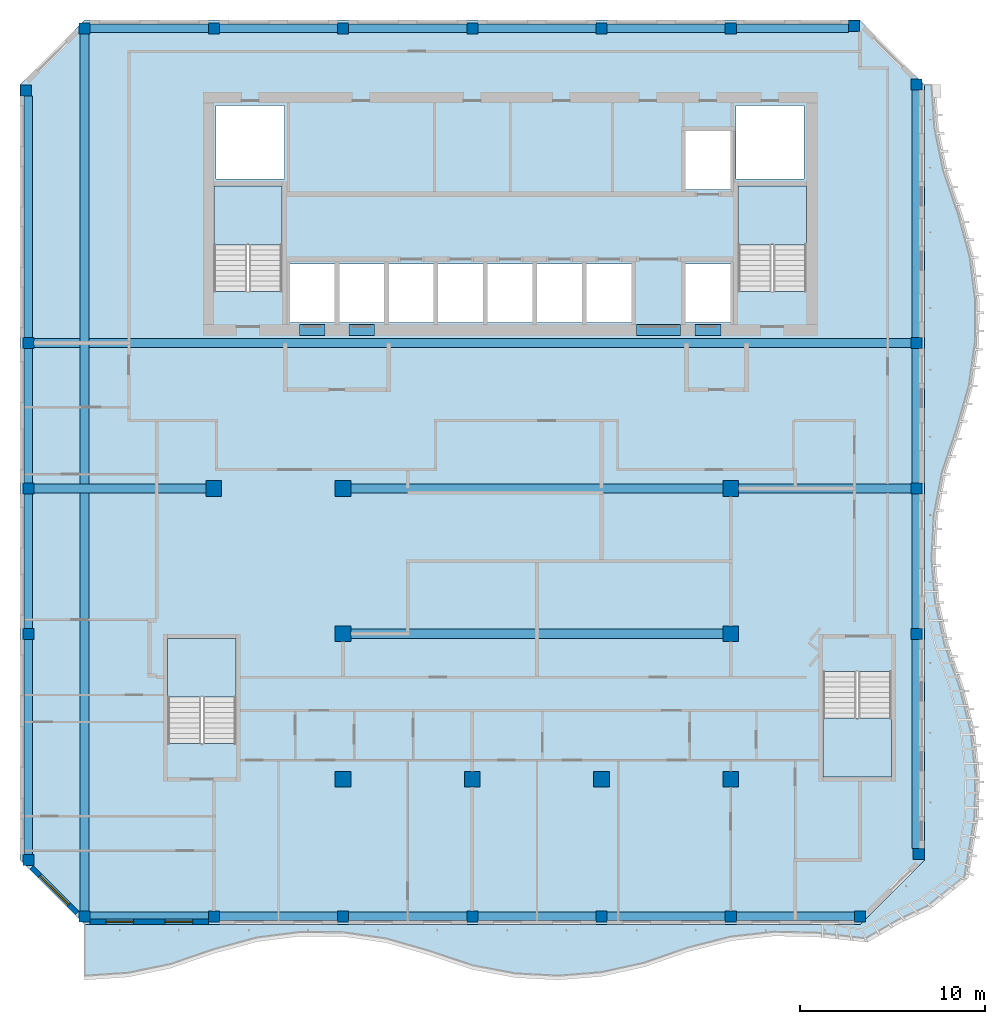
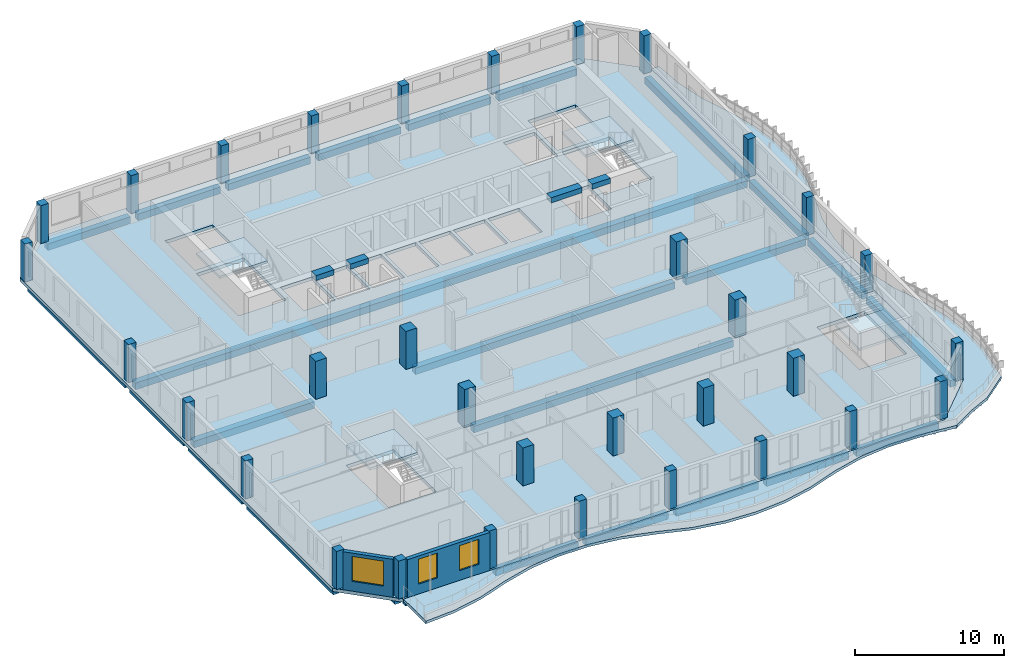
# One storey, part 1 of 17: 33 columns, 30 beams, 6 slabs, 3 windows, 2 walls, 3 openings, 4 elements without a shape of their own.
"""IFC4 building model written with IfcOpenShell, lengths in metres."""

from ifc_helpers import new_model, si_unit, direction, frame, frame_2d, origin, origin_2d, place, context, subcontext, project, spatial, polyline, rectangle, outline, extrude, source, transform, mapped, material, layer, layer_set, material_profile, profile_set, type_object, element, fill, aggregate, save


model = new_model("IFC4")

# Units and contexts
model_context = context("Model", 3, precision=1e-05, world=origin(), true_north=direction((0.0, 1.0)))
body_context = subcontext(model_context, "Body", "Model", "MODEL_VIEW")
ifc_project = project(units=[si_unit("LENGTHUNIT", "METRE"), si_unit("AREAUNIT", "SQUARE_METRE"), si_unit("VOLUMEUNIT", "CUBIC_METRE"), si_unit("PLANEANGLEUNIT", "RADIAN"), si_unit("MASSUNIT", "GRAM", prefix="KILO")], contexts=[model_context])

# Site, building, storey
site_placement = place(None, origin())
site = spatial("IfcSite", under=ifc_project, at=site_placement, CompositionType="ELEMENT")
building_placement = place(site_placement, origin())
building = spatial("IfcBuilding", under=site, at=building_placement, Name="Kilnfold Tower and Market Hall", CompositionType="ELEMENT")
storey_placement = place(building_placement, frame((0.0, 0.0, 301.800048828125)))
storey = spatial("IfcBuildingStorey", under=building, at=storey_placement, Name="L75", CompositionType="ELEMENT", Elevation=301.800048828125)

# Columns
ifc_material_1 = material(Name="Concrete C60", Category="concrete")
ifc_material_profile_1 = material_profile(ifc_material_1, rectangle(XDim=0.60009765625, YDim=0.60009765625, at=origin_2d()), Name="RC 600x600")
ifc_profile_set_1 = profile_set([ifc_material_profile_1], Name="Concrete C60")
column_type_1 = type_object("IfcColumnType", Name="COLUMN 600X600 C60", PredefinedType="COLUMN", material=ifc_profile_set_1)
shared_shape_1 = source(origin(), body_context, "Body", "SweptSolid", [
    extrude(rectangle(XDim=0.60009765625, YDim=0.60009765625, at=origin_2d()), origin(), (0.0, 0.0, 1.0), 3.119873046875),
])
for number, where, z_axis, x_axis, name in (
    (1, (-25.181884765625, 21.681884765625, 0.0), (0.0, 0.0, 1.0), (1.0, 0.0, 0.0), "Column C-B9-1G"),
    (2, (-25.050048828125, -20.0, 0.0), (0.0, 0.0, 1.0), (1.0, 0.0, 0.0), "Column C-B9-1B"),
    (3, (-25.050048828125, -7.75, 0.0), (0.0, 0.0, 1.0), (1.0, 0.0, 0.0), "Column C-B9-1D"),
    (4, (-25.050048828125, 0.125, 0.0), (0.0, 0.0, 1.0), (1.0, 0.0, 0.0), "Column C-B9-1E"),
    (5, (-25.050048828125, 8.0, 0.0), (0.0, 0.0, 1.0), (1.0, 0.0, 0.0), "Column C-B9-1F"),
    (6, (-22.0, -23.050048828125, 0.0), (0.0, 0.0, 1.0), (1.0, 0.0, 0.0), "Column C-B9-2A"),
    (7, (-22.0, 25.050048828125, 0.0), (0.0, 0.0, 1.0), (1.0, 0.0, 0.0), "Column C-B9-2H"),
    (8, (-15.0, -23.050048828125, 0.0), (0.0, 0.0, 1.0), (1.0, 0.0, 0.0), "Column C-B9-3A"),
    (9, (-15.0, 25.050048828125, 0.0), (0.0, 0.0, 1.0), (1.0, 0.0, 0.0), "Column C-B9-3H"),
    (10, (-8.0, -23.050048828125, 0.0), (0.0, 0.0, 1.0), (1.0, 0.0, 0.0), "Column C-B9-4A"),
    (11, (-8.0, 25.050048828125, 0.0), (0.0, 0.0, 1.0), (1.0, 0.0, 0.0), "Column C-B9-4H"),
    (12, (-1.0, -23.050048828125, 0.0), (0.0, 0.0, 1.0), (1.0, 0.0, 0.0), "Column C-B9-5A"),
    (13, (-1.0, 25.050048828125, 0.0), (0.0, 0.0, 1.0), (1.0, 0.0, 0.0), "Column C-B9-5H"),
    (14, (6.0, -23.050048828125, 0.0), (0.0, 0.0, 1.0), (1.0, 0.0, 0.0), "Column C-B9-6A"),
    (15, (6.0, 25.050048828125, 0.0), (0.0, 0.0, 1.0), (1.0, 0.0, 0.0), "Column C-B9-6H"),
    (16, (13.0, -23.050048828125, 0.0), (0.0, 0.0, 1.0), (1.0, 0.0, 0.0), "Column C-B9-7A"),
    (17, (13.0, 25.050048828125, 0.0), (0.0, 0.0, 1.0), (1.0, 0.0, 0.0), "Column C-B9-7H"),
    (18, (19.681884765625, 25.181884765625, 0.0), (0.0, 0.0, 1.0), (1.0, 0.0, 0.0), "Column C-B9-8H"),
    (19, (20.0, -23.050048828125, 0.0), (0.0, 0.0, 1.0), (1.0, 0.0, 0.0), "Column C-B9-8A"),
    (20, (23.050048828125, -7.75, 0.0), (0.0, 0.0, 1.0), (1.0, 0.0, 0.0), "Column C-B9-9D"),
    (21, (23.050048828125, 0.125, 0.0), (0.0, 0.0, 1.0), (1.0, 0.0, 0.0), "Column C-B9-9E"),
    (22, (23.050048828125, 8.0, 0.0), (0.0, 0.0, 1.0), (1.0, 0.0, 0.0), "Column C-B9-9F"),
    (23, (23.050048828125, 22.0, 0.0), (0.0, 0.0, 1.0), (1.0, 0.0, 0.0), "Column C-B9-9G"),
    (24, (23.181884765625, -19.681884765625, 0.0), (0.0, 0.0, 1.0), (1.0, 0.0, 0.0), "Column C-B9-9B"),
):
    element("IfcColumn", number, at=place(storey_placement, frame(where, z_axis=z_axis, x_axis=x_axis)), inside=storey, type_object=column_type_1, Name=name, PredefinedType="COLUMN", context=body_context, shape_type="MappedRepresentation", body=[
        mapped(shared_shape_1, transform((0.0, 0.0, 0.0))),
    ])
ifc_material_2 = material(Name="Concrete C60", Category="concrete")
ifc_material_profile_2 = material_profile(ifc_material_2, rectangle(XDim=0.85009765625, YDim=0.85009765625, at=origin_2d()), Name="RC 850x850")
ifc_profile_set_2 = profile_set([ifc_material_profile_2], Name="Concrete C60")
column_type_2 = type_object("IfcColumnType", Name="COLUMN 850X850 C60", PredefinedType="COLUMN", material=ifc_profile_set_2)
shared_shape_2 = source(origin(), body_context, "Body", "SweptSolid", [
    extrude(rectangle(XDim=0.85009765625, YDim=0.85009765625, at=origin_2d()), origin(), (0.0, 0.0, 1.0), 3.119873046875),
])
for number, where, z_axis, x_axis, name in (
    (25, (-15.0, 0.125, 0.0), (0.0, 0.0, 1.0), (1.0, 0.0, 0.0), "Column C-B9-3E"),
    (26, (-8.0, -15.625, 0.0), (0.0, 0.0, 1.0), (1.0, 0.0, 0.0), "Column C-B9-4C"),
    (27, (-8.0, -7.75, 0.0), (0.0, 0.0, 1.0), (1.0, 0.0, 0.0), "Column C-B9-4D"),
    (28, (-8.0, 0.125, 0.0), (0.0, 0.0, 1.0), (1.0, 0.0, 0.0), "Column C-B9-4E"),
    (29, (-1.0, -15.625, 0.0), (0.0, 0.0, 1.0), (1.0, 0.0, 0.0), "Column C-B9-5C"),
    (30, (6.0, -15.625, 0.0), (0.0, 0.0, 1.0), (1.0, 0.0, 0.0), "Column C-B9-6C"),
    (31, (13.0, -15.625, 0.0), (0.0, 0.0, 1.0), (1.0, 0.0, 0.0), "Column C-B9-7C"),
    (32, (13.0, -7.75, 0.0), (0.0, 0.0, 1.0), (1.0, 0.0, 0.0), "Column C-B9-7D"),
    (33, (13.0, 0.125, 0.0), (0.0, 0.0, 1.0), (1.0, 0.0, 0.0), "Column C-B9-7E"),
):
    element("IfcColumn", number, at=place(storey_placement, frame(where, z_axis=z_axis, x_axis=x_axis)), inside=storey, type_object=column_type_2, Name=name, PredefinedType="COLUMN", context=body_context, shape_type="MappedRepresentation", body=[
        mapped(shared_shape_2, transform((0.0, 0.0, 0.0))),
    ])

# Beams
ifc_material_3 = material(Name="Concrete C50", Category="concrete")
ifc_material_profile_3 = material_profile(ifc_material_3, rectangle(XDim=0.60009765625, YDim=0.419921875, at=origin_2d()), Name="RC 600x420")
ifc_profile_set_3 = profile_set([ifc_material_profile_3], Name="Concrete C50")
beam_type_1 = type_object("IfcBeamType", Name="COUPLING BEAM 600X420 C50", PredefinedType="BEAM", material=ifc_profile_set_3)
shared_shape_3 = source(origin(), body_context, "Body", "SweptSolid", [
    extrude(rectangle(XDim=0.60009765625, YDim=0.419921875, at=origin_2d()), origin(), (0.0, 0.0, 1.0), 1.400146484375),
])
beam_1_placement = place(storey_placement, frame((-10.3701171875, 8.699951171875, 2.909912109375), z_axis=(1.0, 0.0, 0.0), x_axis=(0.0, 1.0, 0.0)))
element("IfcBeam", 34, at=beam_1_placement, inside=storey, type_object=beam_type_1, Name="Coupling beam CB420-50-CORE.30", PredefinedType="BEAM", context=body_context, shape_type="MappedRepresentation", body=[
    mapped(shared_shape_3, transform((0.0, 0.0, 0.0))),
])
shared_shape_4 = source(origin(), body_context, "Body", "SweptSolid", [
    extrude(rectangle(XDim=0.60009765625, YDim=0.419921875, at=origin_2d()), origin(), (0.0, 0.0, 1.0), 1.39990234375),
])
for number, where, z_axis, x_axis, name in (
    (35, (-7.68994140625, 8.699951171875, 2.909912109375), (1.0, 0.0, 0.0), (0.0, 1.0, 0.0), "Coupling beam CB420-50-CORE.31"),
    (36, (11.070068359375, 8.699951171875, 2.909912109375), (1.0, 0.0, 0.0), (0.0, 1.0, 0.0), "Coupling beam CB420-50-CORE.33"),
):
    element("IfcBeam", number, at=place(storey_placement, frame(where, z_axis=z_axis, x_axis=x_axis)), inside=storey, type_object=beam_type_1, Name=name, PredefinedType="BEAM", context=body_context, shape_type="MappedRepresentation", body=[
        mapped(shared_shape_4, transform((0.0, 0.0, 0.0))),
    ])
shared_shape_5 = source(origin(), body_context, "Body", "SweptSolid", [
    extrude(rectangle(XDim=0.60009765625, YDim=0.419921875, at=origin_2d()), origin(), (0.0, 0.0, 1.0), 2.400146484375),
])
beam_2_placement = place(storey_placement, frame((7.889892578125, 8.699951171875, 2.909912109375), z_axis=(1.0, 0.0, 0.0), x_axis=(0.0, 1.0, 0.0)))
element("IfcBeam", 37, at=beam_2_placement, inside=storey, type_object=beam_type_1, Name="Coupling beam CB420-50-CORE.32", PredefinedType="BEAM", context=body_context, shape_type="MappedRepresentation", body=[
    mapped(shared_shape_5, transform((0.0, 0.0, 0.0))),
])
ifc_material_4 = material(Name="Concrete C45", Category="concrete")
ifc_material_profile_4 = material_profile(ifc_material_4, rectangle(XDim=0.449951171875, YDim=0.550048828125, at=origin_2d()), Name="RC 450x550")
ifc_profile_set_4 = profile_set([ifc_material_profile_4], Name="Concrete C45")
beam_type_2 = type_object("IfcBeamType", Name="EDGE BEAM 450X550 C45", PredefinedType="BEAM", material=ifc_profile_set_4)
shared_shape_6 = source(origin(), body_context, "Body", "SweptSolid", [
    extrude(rectangle(XDim=0.449951171875, YDim=0.550048828125, at=origin_2d()), origin(), (0.0, 0.0, 1.0), 6.39990234375),
])
for number, where, z_axis, x_axis, name in (
    (38, (-21.699951171875, -23.050048828125, -0.554931640625), (1.0, 0.0, 0.0), (0.0, 1.0, 0.0), "Beam EB550-B9.38"),
    (39, (-14.699951171875, -23.050048828125, -0.554931640625), (1.0, 0.0, 0.0), (0.0, 1.0, 0.0), "Beam EB550-B9.39"),
    (40, (-7.699951171875, -23.050048828125, -0.554931640625), (1.0, 0.0, 0.0), (0.0, 1.0, 0.0), "Beam EB550-B9.40"),
    (41, (-0.699951171875, -23.050048828125, -0.554931640625), (1.0, 0.0, 0.0), (0.0, 1.0, 0.0), "Beam EB550-B9.41"),
    (42, (6.300048828125, -23.050048828125, -0.554931640625), (1.0, 0.0, 0.0), (0.0, 1.0, 0.0), "Beam EB550-B9.42"),
    (43, (13.300048828125, -23.050048828125, -0.554931640625), (1.0, 0.0, 0.0), (0.0, 1.0, 0.0), "Beam EB550-B9.43"),
    (44, (-21.699951171875, 25.050048828125, -0.554931640625), (1.0, 0.0, 0.0), (0.0, 1.0, 0.0), "Beam EB550-B9.49"),
    (45, (-14.699951171875, 25.050048828125, -0.554931640625), (1.0, 0.0, 0.0), (0.0, 1.0, 0.0), "Beam EB550-B9.50"),
    (46, (-7.699951171875, 25.050048828125, -0.554931640625), (1.0, 0.0, 0.0), (0.0, 1.0, 0.0), "Beam EB550-B9.51"),
    (47, (-0.699951171875, 25.050048828125, -0.554931640625), (1.0, 0.0, 0.0), (0.0, 1.0, 0.0), "Beam EB550-B9.52"),
    (48, (6.300048828125, 25.050048828125, -0.554931640625), (1.0, 0.0, 0.0), (0.0, 1.0, 0.0), "Beam EB550-B9.53"),
):
    element("IfcBeam", number, at=place(storey_placement, frame(where, z_axis=z_axis, x_axis=x_axis)), inside=storey, type_object=beam_type_2, Name=name, PredefinedType="BEAM", context=body_context, shape_type="MappedRepresentation", body=[
        mapped(shared_shape_6, transform((0.0, 0.0, 0.0))),
    ])
ifc_material_5 = material(Name="Concrete C45", Category="concrete")
ifc_material_profile_5 = material_profile(ifc_material_5, rectangle(XDim=0.5, YDim=0.550048828125, at=origin_2d()), Name="RC 500x550")
ifc_profile_set_5 = profile_set([ifc_material_profile_5], Name="Concrete C45")
beam_type_3 = type_object("IfcBeamType", Name="BEAM 500X550 C45", PredefinedType="BEAM", material=ifc_profile_set_5)
shared_shape_7 = source(origin(), body_context, "Body", "SweptSolid", [
    extrude(rectangle(XDim=0.5, YDim=0.550048828125, at=origin_2d()), origin(), (0.0, 0.0, 1.0), 20.14990234375),
])
for number, where, z_axis, x_axis, name in (
    (49, (-7.574951171875, -7.75, -0.554931640625), (1.0, 0.0, 0.0), (0.0, 1.0, 0.0), "Beam BB550-B9.44"),
    (50, (-7.574951171875, 0.1201171875, -0.554931640625), (1.0, 0.0, 0.0), (0.0, 1.0, 0.0), "Beam BB550-B9.46"),
):
    element("IfcBeam", number, at=place(storey_placement, frame(where, z_axis=z_axis, x_axis=x_axis)), inside=storey, type_object=beam_type_3, Name=name, PredefinedType="BEAM", context=body_context, shape_type="MappedRepresentation", body=[
        mapped(shared_shape_7, transform((0.0, 0.0, 0.0))),
    ])
shared_shape_8 = source(origin(), body_context, "Body", "SweptSolid", [
    extrude(rectangle(XDim=0.5, YDim=0.550048828125, at=origin_2d()), origin(), (0.0, 0.0, 1.0), 9.324951171875),
])
for number, where, z_axis, x_axis, name in (
    (51, (-24.75, 0.1201171875, -0.554931640625), (1.0, 0.0, 0.0), (0.0, 1.0, 0.0), "Beam BB550-B9.45"),
    (52, (13.425048828125, 0.1201171875, -0.554931640625), (1.0, 0.0, 0.0), (0.0, 1.0, 0.0), "Beam BB550-B9.47"),
):
    element("IfcBeam", number, at=place(storey_placement, frame(where, z_axis=z_axis, x_axis=x_axis)), inside=storey, type_object=beam_type_3, Name=name, PredefinedType="BEAM", context=body_context, shape_type="MappedRepresentation", body=[
        mapped(shared_shape_8, transform((0.0, 0.0, 0.0))),
    ])
shared_shape_9 = source(origin(), body_context, "Body", "SweptSolid", [
    extrude(rectangle(XDim=0.5, YDim=0.550048828125, at=origin_2d()), origin(), (0.0, 0.0, 1.0), 47.5),
])
for number, where, z_axis, x_axis, name in (
    (53, (-24.75, 8.0, -0.554931640625), (1.0, 0.0, 0.0), (0.0, 1.0, 0.0), "Beam BB550-B9.48"),
    (54, (-22.0, -22.75, -0.554931640625), (0.0, 1.0, 0.0), (-1.0, 0.0, 0.0), "Beam BB550-B9.59"),
):
    element("IfcBeam", number, at=place(storey_placement, frame(where, z_axis=z_axis, x_axis=x_axis)), inside=storey, type_object=beam_type_3, Name=name, PredefinedType="BEAM", context=body_context, shape_type="MappedRepresentation", body=[
        mapped(shared_shape_9, transform((0.0, 0.0, 0.0))),
    ])
shared_shape_10 = source(origin(), body_context, "Body", "SweptSolid", [
    extrude(rectangle(XDim=0.449951171875, YDim=0.550048828125, at=origin_2d()), origin(), (0.0, 0.0, 1.0), 6.081787109375),
])
beam_3_placement = place(storey_placement, frame((13.300048828125, 25.050048828125, -0.554931640625), z_axis=(1.0, 0.0, 0.0), x_axis=(0.0, 1.0, 0.0)))
element("IfcBeam", 55, at=beam_3_placement, inside=storey, type_object=beam_type_2, Name="Beam EB550-B9.54", PredefinedType="BEAM", context=body_context, shape_type="MappedRepresentation", body=[
    mapped(shared_shape_10, transform((0.0, 0.0, 0.0))),
])
shared_shape_11 = source(origin(), body_context, "Body", "SweptSolid", [
    extrude(rectangle(XDim=0.449951171875, YDim=0.550048828125, at=origin_2d()), origin(), (0.0, 0.0, 1.0), 11.64990234375),
])
beam_4_placement = place(storey_placement, frame((-25.050048828125, -19.699951171875, -0.554931640625), z_axis=(0.0, 1.0, 0.0), x_axis=(-1.0, 0.0, 0.0)))
element("IfcBeam", 56, at=beam_4_placement, inside=storey, type_object=beam_type_2, Name="Beam EB550-B9.55", PredefinedType="BEAM", context=body_context, shape_type="MappedRepresentation", body=[
    mapped(shared_shape_11, transform((0.0, 0.0, 0.0))),
])
shared_shape_12 = source(origin(), body_context, "Body", "SweptSolid", [
    extrude(rectangle(XDim=0.449951171875, YDim=0.550048828125, at=origin_2d()), origin(), (0.0, 0.0, 1.0), 7.27490234375),
])
for number, where, z_axis, x_axis, name in (
    (57, (-25.050048828125, -7.449951171875, -0.554931640625), (0.0, 1.0, 0.0), (-1.0, 0.0, 0.0), "Beam EB550-B9.56"),
    (58, (-25.050048828125, 0.425048828125, -0.554931640625), (0.0, 1.0, 0.0), (-1.0, 0.0, 0.0), "Beam EB550-B9.57"),
    (59, (23.050048828125, -7.449951171875, -0.554931640625), (0.0, 1.0, 0.0), (-1.0, 0.0, 0.0), "Beam EB550-B9.61"),
    (60, (23.050048828125, 0.425048828125, -0.554931640625), (0.0, 1.0, 0.0), (-1.0, 0.0, 0.0), "Beam EB550-B9.62"),
):
    element("IfcBeam", number, at=place(storey_placement, frame(where, z_axis=z_axis, x_axis=x_axis)), inside=storey, type_object=beam_type_2, Name=name, PredefinedType="BEAM", context=body_context, shape_type="MappedRepresentation", body=[
        mapped(shared_shape_12, transform((0.0, 0.0, 0.0))),
    ])
shared_shape_13 = source(origin(), body_context, "Body", "SweptSolid", [
    extrude(rectangle(XDim=0.449951171875, YDim=0.550048828125, at=origin_2d()), origin(), (0.0, 0.0, 1.0), 13.081787109375),
])
beam_5_placement = place(storey_placement, frame((-25.050048828125, 8.300048828125, -0.554931640625), z_axis=(0.0, 1.0, 0.0), x_axis=(-1.0, 0.0, 0.0)))
element("IfcBeam", 61, at=beam_5_placement, inside=storey, type_object=beam_type_2, Name="Beam EB550-B9.58", PredefinedType="BEAM", context=body_context, shape_type="MappedRepresentation", body=[
    mapped(shared_shape_13, transform((0.0, 0.0, 0.0))),
])
shared_shape_14 = source(origin(), body_context, "Body", "SweptSolid", [
    extrude(rectangle(XDim=0.449951171875, YDim=0.550048828125, at=origin_2d()), origin(), (0.0, 0.0, 1.0), 11.331787109375),
])
beam_6_placement = place(storey_placement, frame((23.050048828125, -19.3818359375, -0.554931640625), z_axis=(0.0, 1.0, 0.0), x_axis=(-1.0, 0.0, 0.0)))
element("IfcBeam", 62, at=beam_6_placement, inside=storey, type_object=beam_type_2, Name="Beam EB550-B9.60", PredefinedType="BEAM", context=body_context, shape_type="MappedRepresentation", body=[
    mapped(shared_shape_14, transform((0.0, 0.0, 0.0))),
])
shared_shape_15 = source(origin(), body_context, "Body", "SweptSolid", [
    extrude(rectangle(XDim=0.449951171875, YDim=0.550048828125, at=origin_2d()), origin(), (0.0, 0.0, 1.0), 13.39990234375),
])
beam_7_placement = place(storey_placement, frame((23.050048828125, 8.300048828125, -0.554931640625), z_axis=(0.0, 1.0, 0.0), x_axis=(-1.0, 0.0, 0.0)))
element("IfcBeam", 63, at=beam_7_placement, inside=storey, type_object=beam_type_2, Name="Beam EB550-B9.63", PredefinedType="BEAM", context=body_context, shape_type="MappedRepresentation", body=[
    mapped(shared_shape_15, transform((0.0, 0.0, 0.0))),
])

# Slabs
ifc_material_6 = material(Name="Concrete C45", Category="concrete")
ifc_layer_1 = layer(ifc_material_6, 0.280029296875)
ifc_layer_set_1 = layer_set([ifc_layer_1], Name="Concrete C45")
slab_type_1 = type_object("IfcSlabType", Name="FLOOR SLAB 280", PredefinedType="FLOOR", material=ifc_layer_set_1)
shared_shape_16 = source(origin(), body_context, "Body", "SweptSolid", [
    extrude(outline(polyline([(-22.0, -23.5), (20.0, -23.5), (23.5, -20.0), (23.5, 22.0), (20.0, 25.5), (-22.0, 25.5), (-25.5, 22.0), (-25.5, -20.0), (-22.0, -23.5)]), holes=[polyline([(-13.800537109375, -8.00048828125), (-13.800537109375, -13.699462890625), (-17.49951171875, -13.699462890625), (-17.49951171875, -8.00048828125), (-13.800537109375, -8.00048828125)]), polyline([(-11.300537109375, 10.800537109375), (-14.99951171875, 10.800537109375), (-14.99951171875, 16.49951171875), (-11.300537109375, 16.49951171875), (-11.300537109375, 10.800537109375)]), polyline([(-11.175048828125, 16.875), (-14.875, 16.875), (-14.875, 20.875), (-11.175048828125, 20.875), (-11.175048828125, 16.875)]), polyline([(-8.455078125, 9.125), (-10.885009765625, 9.125), (-10.885009765625, 12.27490234375), (-8.455078125, 12.27490234375), (-8.455078125, 9.125)]), polyline([(-5.77490234375, 9.125), (-8.205078125, 9.125), (-8.205078125, 12.27490234375), (-5.77490234375, 12.27490234375), (-5.77490234375, 9.125)]), polyline([(-3.094970703125, 9.125), (-5.52490234375, 9.125), (-5.52490234375, 12.27490234375), (-3.094970703125, 12.27490234375), (-3.094970703125, 9.125)]), polyline([(-0.4150390625, 9.125), (-2.844970703125, 9.125), (-2.844970703125, 12.27490234375), (-0.4150390625, 12.27490234375), (-0.4150390625, 9.125)]), polyline([(2.264892578125, 9.125), (-0.1650390625, 9.125), (-0.1650390625, 12.27490234375), (2.264892578125, 12.27490234375), (2.264892578125, 9.125)]), polyline([(4.945068359375, 9.125), (2.514892578125, 9.125), (2.514892578125, 12.27490234375), (4.945068359375, 12.27490234375), (4.945068359375, 9.125)]), polyline([(7.625, 9.125), (5.195068359375, 9.125), (5.195068359375, 12.27490234375), (7.625, 12.27490234375), (7.625, 9.125)]), polyline([(12.985107421875, 9.125), (10.554931640625, 9.125), (10.554931640625, 12.27490234375), (12.985107421875, 12.27490234375), (12.985107421875, 9.125)]), polyline([(12.985107421875, 16.324951171875), (10.554931640625, 16.324951171875), (10.554931640625, 19.47509765625), (12.985107421875, 19.47509765625), (12.985107421875, 16.324951171875)]), polyline([(16.97509765625, 16.875), (13.27490234375, 16.875), (13.27490234375, 20.875), (16.97509765625, 20.875), (16.97509765625, 16.875)]), polyline([(17.099609375, 10.800537109375), (13.400390625, 10.800537109375), (13.400390625, 16.49951171875), (17.099609375, 16.49951171875), (17.099609375, 10.800537109375)]), polyline([(18.00048828125, -9.800537109375), (21.699462890625, -9.800537109375), (21.699462890625, -15.49951171875), (18.00048828125, -15.49951171875), (18.00048828125, -9.800537109375)])]), origin(), (0.0, 0.0, 1.0), 0.280029296875),
])
slab_1_placement = place(storey_placement, frame((0.0, 0.0, -0.280029296875)))
element("IfcSlab", 64, at=slab_1_placement, inside=storey, type_object=slab_type_1, Name="Floor slab L75", PredefinedType="FLOOR", context=body_context, shape_type="MappedRepresentation", body=[
    mapped(shared_shape_16, transform((0.0, 0.0, 0.0))),
])
ifc_material_7 = material(Name="Concrete C40/50", Category="concrete")
ifc_layer_2 = layer(ifc_material_7, 0.219970703125)
ifc_layer_set_2 = layer_set([ifc_layer_2], Name="Concrete C40/50")
slab_type_2 = type_object("IfcSlabType", Name="BALCONY SLAB 220", PredefinedType="FLOOR", material=ifc_layer_set_2)
shared_shape_17 = source(origin(), body_context, "Body", "SweptSolid", [
    extrude(outline(polyline([(-22.0, -23.5), (20.0, -23.5), (23.5, -20.0), (23.5, 22.0), (24.10009765625, 22.0), (24.257080078125, 19.666748046875), (24.73681640625, 17.333251953125), (25.53857421875, 15.0), (26.170166015625, 12.666748046875), (26.468994140625, 10.333251953125), (26.451904296875, 8.0), (26.118408203125, 5.666748046875), (25.448974609375, 3.333251953125), (24.668701171875, 1.0), (24.224609375, -1.333251953125), (24.101806640625, -3.666748046875), (24.29296875, -6.0), (24.80908203125, -8.333251953125), (25.6240234375, -10.666748046875), (26.218017578125, -13.0), (26.482177734375, -15.333251953125), (26.431396484375, -17.666748046875), (25.86767578125, -20.980712890625), (23.81787109375, -22.651123046875), (22.227783203125, -23.394287109375), (20.39697265625, -24.458251953125), (17.666748046875, -24.168701171875), (15.333251953125, -24.117919921875), (13.0, -24.3818359375), (10.666748046875, -24.97607421875), (8.333251953125, -25.791015625), (6.0, -26.306884765625), (3.666748046875, -26.498291015625), (1.333251953125, -26.375244140625), (-1.0, -25.931396484375), (-3.333251953125, -25.151123046875), (-5.666748046875, -24.481689453125), (-8.0, -24.14794921875), (-10.333251953125, -24.131103515625), (-12.666748046875, -24.4296875), (-15.0, -25.061279296875), (-17.333251953125, -25.86328125), (-19.666748046875, -26.343017578125), (-22.0, -26.5), (-22.0, -23.5)])), origin(), (0.0, 0.0, 1.0), 0.219970703125),
])
slab_2_placement = place(storey_placement, frame((0.0, 0.0, -0.219970703125)))
element("IfcSlab", 65, at=slab_2_placement, inside=storey, type_object=slab_type_2, Name="Balcony slab L75", PredefinedType="FLOOR", context=body_context, shape_type="MappedRepresentation", body=[
    mapped(shared_shape_17, transform((0.0, 0.0, 0.0))),
])

# Stair, slab
ifc_material_8 = material(Name="Concrete C40/50", Category="concrete")
stair_type = type_object("IfcStairType", Name="CORE STAIR 1800", PredefinedType="HALF_TURN_STAIR", material=ifc_material_8)
stair_1_placement = place(storey_placement, origin())
stair_1 = element("IfcStair", 66, at=stair_1_placement, inside=storey, type_object=stair_type, Name="L75 ST1", PredefinedType="HALF_TURN_STAIR")
ifc_material_9 = material(Name="Concrete C40/50", Category="concrete")
ifc_layer_3 = layer(ifc_material_9, 0.199951171875)
ifc_layer_set_3 = layer_set([ifc_layer_3], Name="Concrete C40/50")
slab_type_3 = type_object("IfcSlabType", Name="CORE STAIR LANDING 200", PredefinedType="LANDING", material=ifc_layer_set_3)
shared_shape_18 = source(origin(), body_context, "Body", "SweptSolid", [
    extrude(outline(polyline([(-11.300048828125, 13.320068359375), (-11.300048828125, 16.5), (-15.0, 16.5), (-15.0, 13.320068359375), (-11.300048828125, 13.320068359375)])), origin(), (0.0, 0.0, 1.0), 0.199951171875),
])
slab_3_placement = place(storey_placement, frame((0.0, 0.0, 1.5)))
slab_3 = element("IfcSlab", 67, at=slab_3_placement, type_object=slab_type_3, Name="ST1 landing 1", PredefinedType="LANDING", context=body_context, shape_type="MappedRepresentation", body=[
    mapped(shared_shape_18, transform((0.0, 0.0, 0.0))),
])
aggregate(stair_1, [slab_3])

stair_2_placement = place(storey_placement, origin())
stair_2 = element("IfcStair", 68, at=stair_2_placement, inside=storey, type_object=stair_type, Name="L75 ST2", PredefinedType="HALF_TURN_STAIR")
shared_shape_19 = source(origin(), body_context, "Body", "SweptSolid", [
    extrude(outline(polyline([(17.10009765625, 13.320068359375), (17.10009765625, 16.5), (13.39990234375, 16.5), (13.39990234375, 13.320068359375), (17.10009765625, 13.320068359375)])), origin(), (0.0, 0.0, 1.0), 0.199951171875),
])
slab_4_placement = place(storey_placement, frame((0.0, 0.0, 1.5)))
slab_4 = element("IfcSlab", 69, at=slab_4_placement, type_object=slab_type_3, Name="ST2 landing 1", PredefinedType="LANDING", context=body_context, shape_type="MappedRepresentation", body=[
    mapped(shared_shape_19, transform((0.0, 0.0, 0.0))),
])
aggregate(stair_2, [slab_4])

stair_3_placement = place(storey_placement, origin())
stair_3 = element("IfcStair", 70, at=stair_3_placement, inside=storey, type_object=stair_type, Name="L75 ST3", PredefinedType="HALF_TURN_STAIR")
shared_shape_20 = source(origin(), body_context, "Body", "SweptSolid", [
    extrude(outline(polyline([(-13.800048828125, -11.179931640625), (-13.800048828125, -8.0), (-17.5, -8.0), (-17.5, -11.179931640625), (-13.800048828125, -11.179931640625)])), origin(), (0.0, 0.0, 1.0), 0.199951171875),
])
slab_5_placement = place(storey_placement, frame((0.0, 0.0, 1.5)))
slab_5 = element("IfcSlab", 71, at=slab_5_placement, type_object=slab_type_3, Name="ST3 landing 1", PredefinedType="LANDING", context=body_context, shape_type="MappedRepresentation", body=[
    mapped(shared_shape_20, transform((0.0, 0.0, 0.0))),
])
aggregate(stair_3, [slab_5])

stair_4_placement = place(storey_placement, origin())
stair_4 = element("IfcStair", 72, at=stair_4_placement, inside=storey, type_object=stair_type, Name="L75 ST4", PredefinedType="HALF_TURN_STAIR")
shared_shape_21 = source(origin(), body_context, "Body", "SweptSolid", [
    extrude(outline(polyline([(18.0, -12.320068359375), (18.0, -15.5), (21.699951171875, -15.5), (21.699951171875, -12.320068359375), (18.0, -12.320068359375)])), origin(), (0.0, 0.0, 1.0), 0.199951171875),
])
slab_6_placement = place(storey_placement, frame((0.0, 0.0, 1.5)))
slab_6 = element("IfcSlab", 73, at=slab_6_placement, type_object=slab_type_3, Name="ST4 landing 1", PredefinedType="LANDING", context=body_context, shape_type="MappedRepresentation", body=[
    mapped(shared_shape_21, transform((0.0, 0.0, 0.0))),
])
aggregate(stair_4, [slab_6])

# Wall, openings, windows
ifc_material_10 = material(Name="Precast concrete C50/60", Category="concrete")
ifc_layer_4 = layer(ifc_material_10, 0.300048828125)
ifc_layer_set_4 = layer_set([ifc_layer_4], Name="Precast concrete C50/60")
wall_type = type_object("IfcWallType", Name="PRECAST WALL 300", PredefinedType="SOLIDWALL", material=ifc_layer_set_4)
shared_shape_22 = source(origin(), body_context, "Body", "SweptSolid", [
    extrude(rectangle(XDim=6.39990234375, YDim=0.300048828125, at=frame_2d((3.199951171875, 0.0))), origin(), (0.0, 0.0, 1.0), 3.119873046875),
])
wall_1_placement = place(storey_placement, frame((-21.699951171875, -23.35009765625, 0.0), z_axis=(0.0, 0.0, 1.0), x_axis=(1.0, 0.0, 0.0)))
wall_1 = element("IfcWall", 74, at=wall_1_placement, inside=storey, type_object=wall_type, Name="External wall L75 S", PredefinedType="SOLIDWALL", context=body_context, shape_type="MappedRepresentation", body=[
    mapped(shared_shape_22, transform((0.0, 0.0, 0.0))),
])
opening_1_placement = place(wall_1_placement, frame((0.85009765625, 0.0, 0.800048828125)))
opening_1 = element("IfcOpeningElement", 75, at=opening_1_placement, cuts=wall_1, Name="Opening W5", PredefinedType="OPENING", context=body_context, shape_type="SweptSolid", body=[
    extrude(rectangle(XDim=1.5, YDim=2.050048828125, at=frame_2d((0.75, 1.02490234375))), frame((0.0, 0.16015625, 0.0), z_axis=(0.0, -1.0, 0.0), x_axis=(1.0, 0.0, 0.0)), (0.0, 0.0, 1.0), 0.320068359375),
])
opening_2_placement = place(wall_1_placement, frame((4.050048828125, 0.0, 0.800048828125)))
opening_2 = element("IfcOpeningElement", 76, at=opening_2_placement, cuts=wall_1, Name="Opening W5", PredefinedType="OPENING", context=body_context, shape_type="SweptSolid", body=[
    extrude(rectangle(XDim=1.5, YDim=2.050048828125, at=frame_2d((0.75, 1.02490234375))), frame((0.0, 0.16015625, 0.0), z_axis=(0.0, -1.0, 0.0), x_axis=(1.0, 0.0, 0.0)), (0.0, 0.0, 1.0), 0.320068359375),
])
ifc_material_11 = material(Name="Aluminium frame and double glazing", Category="aluminium")
window_type_1 = type_object("IfcWindowType", Name="WINDOW W5 1500X2050", PartitioningType="SINGLE_PANEL", PredefinedType="WINDOW", material=ifc_material_11)
window_1_placement = place(opening_1_placement, origin())
window_1 = element("IfcWindow", 77, at=window_1_placement, inside=storey, type_object=window_type_1, Name="Window W5 L75 S-1", OverallHeight=2.050048828125, OverallWidth=1.5, PartitioningType="SINGLE_PANEL", PredefinedType="WINDOW", context=body_context, shape_type="SweptSolid", body=[
    extrude(rectangle(XDim=1.5, YDim=2.050048828125, at=frame_2d((0.75, 1.02490234375))), frame((0.0, 0.030029296875, 0.0), z_axis=(0.0, -1.0, 0.0), x_axis=(1.0, 0.0, 0.0)), (0.0, 0.0, 1.0), 0.06005859375),
])
fill(opening_1, window_1)
window_2_placement = place(opening_2_placement, origin())
window_2 = element("IfcWindow", 78, at=window_2_placement, inside=storey, type_object=window_type_1, Name="Window W5 L75 S-2", OverallHeight=2.050048828125, OverallWidth=1.5, PartitioningType="SINGLE_PANEL", PredefinedType="WINDOW", context=body_context, shape_type="SweptSolid", body=[
    extrude(rectangle(XDim=1.5, YDim=2.050048828125, at=frame_2d((0.75, 1.02490234375))), frame((0.0, 0.030029296875, 0.0), z_axis=(0.0, -1.0, 0.0), x_axis=(1.0, 0.0, 0.0)), (0.0, 0.0, 1.0), 0.06005859375),
])
fill(opening_2, window_2)

# Wall, opening, window
shared_shape_23 = source(origin(), body_context, "Body", "SweptSolid", [
    extrude(rectangle(XDim=3.46484375, YDim=0.300048828125, at=frame_2d((1.732421875, 0.0))), origin(), (0.0, 0.0, 1.0), 3.119873046875),
])
wall_2_placement = place(storey_placement, frame((-24.868896484375, -20.4189453125, 0.0), z_axis=(0.0, 0.0, 1.0), x_axis=(0.707106781187, -0.707106781187, 0.0)))
wall_2 = element("IfcWall", 79, at=wall_2_placement, inside=storey, type_object=wall_type, Name="External wall L75 SW", PredefinedType="SOLIDWALL", context=body_context, shape_type="MappedRepresentation", body=[
    mapped(shared_shape_23, transform((0.0, 0.0, 0.0))),
])
opening_3_placement = place(wall_2_placement, frame((0.63232421875, 0.0, 0.800048828125)))
opening_3 = element("IfcOpeningElement", 80, at=opening_3_placement, cuts=wall_2, Name="Opening W3", PredefinedType="OPENING", context=body_context, shape_type="SweptSolid", body=[
    extrude(rectangle(XDim=2.199951171875, YDim=2.050048828125, at=frame_2d((1.10009765625, 1.02490234375))), frame((0.0, 0.16015625, 0.0), z_axis=(0.0, -1.0, 0.0), x_axis=(1.0, 0.0, 0.0)), (0.0, 0.0, 1.0), 0.320068359375),
])
ifc_material_12 = material(Name="Aluminium frame and double glazing", Category="aluminium")
window_type_2 = type_object("IfcWindowType", Name="WINDOW W3 2200X2050", PartitioningType="SINGLE_PANEL", PredefinedType="WINDOW", material=ifc_material_12)
window_3_placement = place(opening_3_placement, origin())
window_3 = element("IfcWindow", 81, at=window_3_placement, inside=storey, type_object=window_type_2, Name="Window W3 L75 SW-1", OverallHeight=2.050048828125, OverallWidth=2.199951171875, PartitioningType="SINGLE_PANEL", PredefinedType="WINDOW", context=body_context, shape_type="SweptSolid", body=[
    extrude(rectangle(XDim=2.199951171875, YDim=2.050048828125, at=frame_2d((1.10009765625, 1.02490234375))), frame((0.0, 0.030029296875, 0.0), z_axis=(0.0, -1.0, 0.0), x_axis=(1.0, 0.0, 0.0)), (0.0, 0.0, 1.0), 0.06005859375),
])
fill(opening_3, window_3)

save(model, "model.ifc")
